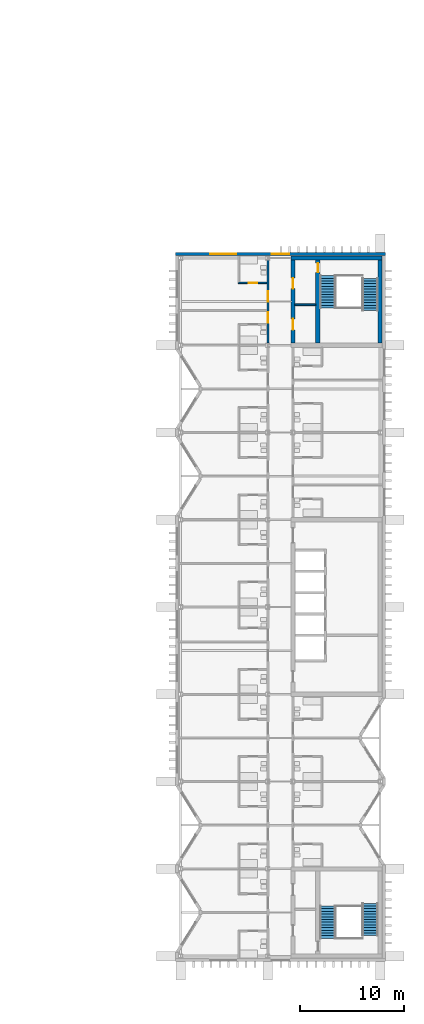
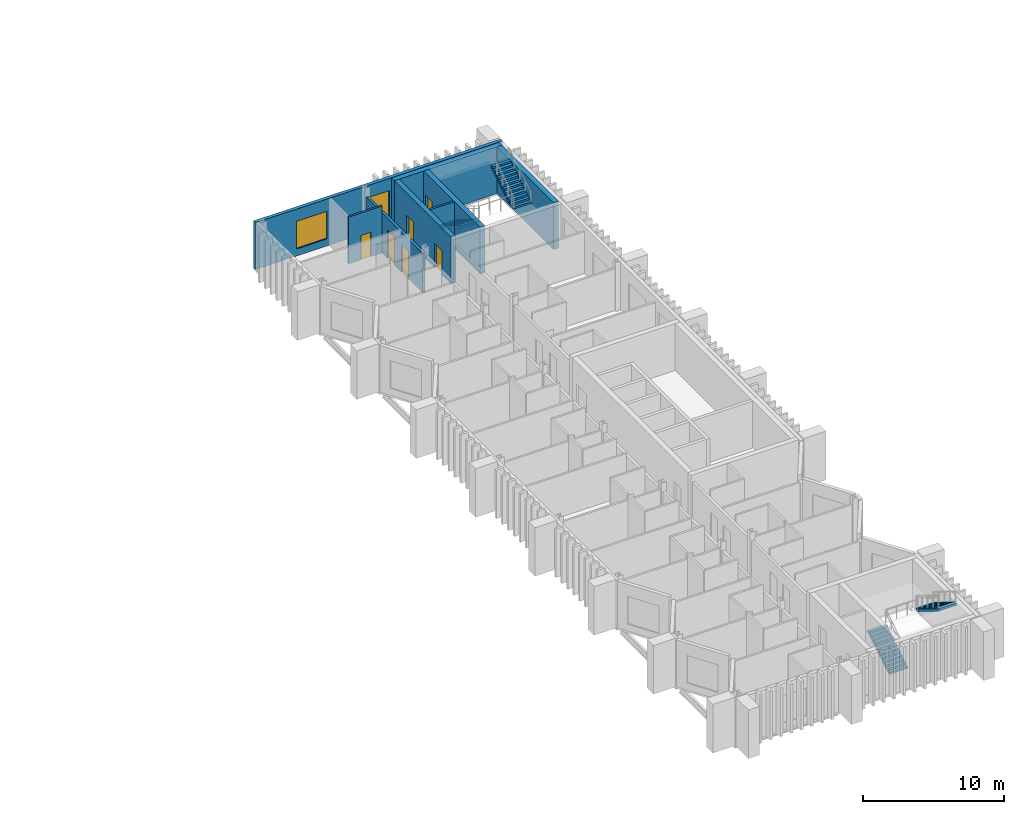
# One storey, part 18 of 20: 8 walls, 6 doors, 4 stair flights, 2 windows, 8 openings, 2 elements without a shape of their own.
"""IFC4 building model written with IfcOpenShell, lengths in metres."""

from ifc_helpers import new_model, si_unit, direction, frame, frame_2d, origin, place, context, subcontext, project, spatial, polyline, rectangle, outline, extrude, material, layer, layer_set, type_object, element, fill, aggregate, save


model = new_model("IFC4")

# Units and contexts
model_context = context("Model", 3, precision=1e-05, world=origin(), true_north=direction((0.0, 1.0)))
body_context = subcontext(model_context, "Body", "Model", "MODEL_VIEW")
ifc_project = project(units=[si_unit("LENGTHUNIT", "METRE"), si_unit("AREAUNIT", "SQUARE_METRE"), si_unit("VOLUMEUNIT", "CUBIC_METRE"), si_unit("PLANEANGLEUNIT", "RADIAN"), si_unit("MASSUNIT", "GRAM", prefix="KILO")], contexts=[model_context])

# Site, building, storey
site_placement = place(None, origin())
site = spatial("IfcSite", under=ifc_project, at=site_placement, CompositionType="ELEMENT")
building_placement = place(site_placement, origin())
building = spatial("IfcBuilding", under=site, at=building_placement, Name="Cresset Court Congress Hotel", CompositionType="ELEMENT")
storey_placement = place(building_placement, frame((0.0, 0.0, 27.0)))
storey = spatial("IfcBuildingStorey", under=building, at=storey_placement, Name="L06", CompositionType="ELEMENT", Elevation=27.0)

# Wall, openings, doors
ifc_material_1 = material(Name="Gypsum board partition")
ifc_layer_1 = layer(ifc_material_1, 0.199951171875)
ifc_layer_set_1 = layer_set([ifc_layer_1], Name="Corridor wall 200")
wall_type_1 = type_object("IfcWallType", Name="Corridor wall 200", PredefinedType="PARTITIONING", material=ifc_layer_set_1)
wall_1_placement = place(storey_placement, frame((165.60009765625, 59.0, 0.0), z_axis=(0.0, 0.0, 1.0), x_axis=(0.0, 1.0, 0.0)))
wall_1 = element("IfcWall", 1, at=wall_1_placement, inside=storey, type_object=wall_type_1, Name="A.wl.L06.077", PredefinedType="PARTITIONING", context=body_context, shape_type="SweptSolid", body=[
    extrude(rectangle(XDim=8.0, YDim=0.199951171875, at=frame_2d((4.0, 0.0))), origin(), (0.0, 0.0, 1.0), 3.449951171875),
])
opening_1_placement = place(wall_1_placement, frame((1.97998046875, 0.0, 0.0)))
opening_1 = element("IfcOpeningElement", 2, at=opening_1_placement, cuts=wall_1, Name="Opening DA-06-30", PredefinedType="OPENING", context=body_context, shape_type="SweptSolid", body=[
    extrude(rectangle(XDim=1.0, YDim=2.39990234375, at=frame_2d((0.5, 1.199951171875))), frame((0.0, 0.10986328125, 0.0), z_axis=(0.0, -1.0, 0.0), x_axis=(1.0, 0.0, 0.0)), (0.0, 0.0, 1.0), 0.219970703125),
])
opening_2_placement = place(wall_1_placement, frame((3.97998046875, 0.0, 0.0)))
opening_2 = element("IfcOpeningElement", 3, at=opening_2_placement, cuts=wall_1, Name="Opening DA-06-32", PredefinedType="OPENING", context=body_context, shape_type="SweptSolid", body=[
    extrude(rectangle(XDim=1.0, YDim=2.39990234375, at=frame_2d((0.5, 1.199951171875))), frame((0.0, 0.10986328125, 0.0), z_axis=(0.0, -1.0, 0.0), x_axis=(1.0, 0.0, 0.0)), (0.0, 0.0, 1.0), 0.219970703125),
])
ifc_material_2 = material(Name="timber", Category="wood")
door_type_1 = type_object("IfcDoorType", Name="Guest-room entry door 1000x2400 FD30S", OperationType="SINGLE_SWING_LEFT", PredefinedType="DOOR", material=ifc_material_2)
door_1_placement = place(opening_1_placement, origin())
door_1 = element("IfcDoor", 4, at=door_1_placement, inside=storey, type_object=door_type_1, Name="Door DA-06-30", OperationType="SINGLE_SWING_RIGHT", OverallHeight=2.39990234375, OverallWidth=1.0, PredefinedType="DOOR", context=body_context, shape_type="SweptSolid", body=[
    extrude(rectangle(XDim=1.0, YDim=2.39990234375, at=frame_2d((0.5, 1.199951171875))), frame((0.0, 0.02490234375, 0.0), z_axis=(0.0, -1.0, 0.0), x_axis=(1.0, 0.0, 0.0)), (0.0, 0.0, 1.0), 0.050048828125),
])
fill(opening_1, door_1)
door_2_placement = place(opening_2_placement, origin())
door_2 = element("IfcDoor", 5, at=door_2_placement, inside=storey, type_object=door_type_1, Name="Door DA-06-32", OperationType="SINGLE_SWING_LEFT", OverallHeight=2.39990234375, OverallWidth=1.0, PredefinedType="DOOR", context=body_context, shape_type="SweptSolid", body=[
    extrude(rectangle(XDim=1.0, YDim=2.39990234375, at=frame_2d((0.5, 1.199951171875))), frame((0.0, 0.02490234375, 0.0), z_axis=(0.0, -1.0, 0.0), x_axis=(1.0, 0.0, 0.0)), (0.0, 0.0, 1.0), 0.050048828125),
])
fill(opening_2, door_2)

# Wall, opening, door
ifc_material_3 = material(Name="Gypsum board partition")
ifc_layer_2 = layer(ifc_material_3, 0.14990234375)
ifc_layer_set_2 = layer_set([ifc_layer_2], Name="En-suite wall 150")
wall_type_2 = type_object("IfcWallType", Name="En-suite wall 150", PredefinedType="PARTITIONING", material=ifc_layer_set_2)
wall_2_placement = place(storey_placement, frame((162.75, 64.800048828125, 0.0), z_axis=(0.0, 0.0, 1.0), x_axis=(1.0, 0.0, 0.0)))
wall_2 = element("IfcWall", 6, at=wall_2_placement, inside=storey, type_object=wall_type_2, Name="A.wl.L06.032", PredefinedType="PARTITIONING", context=body_context, shape_type="SweptSolid", body=[
    extrude(rectangle(XDim=2.75, YDim=0.14990234375, at=frame_2d((1.375, 0.0))), origin(), (0.0, 0.0, 1.0), 4.050048828125),
])
opening_3_placement = place(wall_2_placement, frame((1.030029296875, 0.0, 0.0)))
opening_3 = element("IfcOpeningElement", 7, at=opening_3_placement, cuts=wall_2, Name="Opening DA-06-31", PredefinedType="OPENING", context=body_context, shape_type="SweptSolid", body=[
    extrude(rectangle(XDim=0.800048828125, YDim=2.10009765625, at=frame_2d((0.39990234375, 1.050048828125))), frame((0.0, 0.0849609375, 0.0), z_axis=(0.0, -1.0, 0.0), x_axis=(1.0, 0.0, 0.0)), (0.0, 0.0, 1.0), 0.169921875),
])
ifc_material_4 = material(Name="timber", Category="wood")
door_type_2 = type_object("IfcDoorType", Name="En-suite door 800x2100", OperationType="SINGLE_SWING_LEFT", PredefinedType="DOOR", material=ifc_material_4)
door_3_placement = place(opening_3_placement, origin())
door_3 = element("IfcDoor", 8, at=door_3_placement, inside=storey, type_object=door_type_2, Name="Door DA-06-31", OperationType="SINGLE_SWING_LEFT", OverallHeight=2.10009765625, OverallWidth=0.800048828125, PredefinedType="DOOR", context=body_context, shape_type="SweptSolid", body=[
    extrude(rectangle(XDim=0.800048828125, YDim=2.10009765625, at=frame_2d((0.39990234375, 1.050048828125))), frame((0.0, 0.02490234375, 0.0), z_axis=(0.0, -1.0, 0.0), x_axis=(1.0, 0.0, 0.0)), (0.0, 0.0, 1.0), 0.050048828125),
])
fill(opening_3, door_3)

# Wall, openings, windows
ifc_material_5 = material(Name="Precast concrete C50", Category="concrete")
ifc_layer_3 = layer(ifc_material_5, 0.280029296875)
ifc_layer_set_3 = layer_set([ifc_layer_3], Name="Gable end wall 280")
wall_type_3 = type_object("IfcWallType", Name="Gable end wall 280", PredefinedType="SOLIDWALL", material=ifc_layer_set_3)
wall_3_placement = place(storey_placement, frame((156.699951171875, 67.56005859375, 0.0), z_axis=(0.0, 0.0, 1.0), x_axis=(1.0, 0.0, 0.0)))
wall_3 = element("IfcWall", 9, at=wall_3_placement, inside=storey, type_object=wall_type_3, Name="A.ew.L06.N.1", PredefinedType="SOLIDWALL", context=body_context, shape_type="SweptSolid", body=[
    extrude(rectangle(XDim=20.199951171875, YDim=0.280029296875, at=frame_2d((10.10009765625, 0.0))), origin(), (0.0, 0.0, 1.0), 4.050048828125),
])
opening_4_placement = place(wall_3_placement, frame((9.260009765625, 0.0, 0.60009765625)))
opening_4 = element("IfcOpeningElement", 10, at=opening_4_placement, cuts=wall_3, Name="Opening NA-06-27", PredefinedType="OPENING", context=body_context, shape_type="SweptSolid", body=[
    extrude(rectangle(XDim=1.679931640625, YDim=2.39990234375, at=frame_2d((0.83984375, 1.199951171875))), frame((0.0, 0.14990234375, 0.0), z_axis=(0.0, -1.0, 0.0), x_axis=(1.0, 0.0, 0.0)), (0.0, 0.0, 1.0), 0.300048828125),
])
opening_5_placement = place(wall_3_placement, frame((3.340087890625, 0.0, 0.60009765625)))
opening_5 = element("IfcOpeningElement", 11, at=opening_5_placement, cuts=wall_3, Name="Opening NA-06-28", PredefinedType="OPENING", context=body_context, shape_type="SweptSolid", body=[
    extrude(rectangle(XDim=2.52001953125, YDim=2.39990234375, at=frame_2d((1.260009765625, 1.199951171875))), frame((0.0, 0.14990234375, 0.0), z_axis=(0.0, -1.0, 0.0), x_axis=(1.0, 0.0, 0.0)), (0.0, 0.0, 1.0), 0.300048828125),
])
ifc_material_6 = material(Name="Aluminium and glass", Category="aluminium")
window_type_1 = type_object("IfcWindowType", Name="Window 1680x2400", PartitioningType="SINGLE_PANEL", PredefinedType="WINDOW", material=ifc_material_6)
window_1_placement = place(opening_4_placement, origin())
window_1 = element("IfcWindow", 12, at=window_1_placement, inside=storey, type_object=window_type_1, Name="Window NA-06-27", OverallHeight=2.39990234375, OverallWidth=1.679931640625, PartitioningType="SINGLE_PANEL", PredefinedType="WINDOW", context=body_context, shape_type="SweptSolid", body=[
    extrude(rectangle(XDim=1.679931640625, YDim=2.39990234375, at=frame_2d((0.83984375, 1.199951171875))), frame((0.0, 0.030029296875, 0.0), z_axis=(0.0, -1.0, 0.0), x_axis=(1.0, 0.0, 0.0)), (0.0, 0.0, 1.0), 0.06005859375),
])
fill(opening_4, window_1)
ifc_material_7 = material(Name="Aluminium and glass", Category="aluminium")
window_type_2 = type_object("IfcWindowType", Name="Window 2520x2400", PartitioningType="SINGLE_PANEL", PredefinedType="WINDOW", material=ifc_material_7)
window_2_placement = place(opening_5_placement, origin())
window_2 = element("IfcWindow", 13, at=window_2_placement, inside=storey, type_object=window_type_2, Name="Window NA-06-28", OverallHeight=2.39990234375, OverallWidth=2.52001953125, PartitioningType="SINGLE_PANEL", PredefinedType="WINDOW", context=body_context, shape_type="SweptSolid", body=[
    extrude(rectangle(XDim=2.52001953125, YDim=2.39990234375, at=frame_2d((1.260009765625, 1.199951171875))), frame((0.0, 0.030029296875, 0.0), z_axis=(0.0, -1.0, 0.0), x_axis=(1.0, 0.0, 0.0)), (0.0, 0.0, 1.0), 0.06005859375),
])
fill(opening_5, window_2)

# Walls
ifc_material_8 = material(Name="Concrete block wall", Category="concrete")
ifc_layer_4 = layer(ifc_material_8, 0.175048828125)
ifc_layer_set_4 = layer_set([ifc_layer_4], Name="Riser shaft wall 175")
wall_type_4 = type_object("IfcWallType", Name="Riser shaft wall 175", PredefinedType="PARTITIONING", material=ifc_layer_set_4)
wall_4_placement = place(storey_placement, frame((168.199951171875, 62.699951171875, 0.0), z_axis=(0.0, 0.0, 1.0), x_axis=(1.0, 0.0, 0.0)))
element("IfcWall", 14, at=wall_4_placement, inside=storey, type_object=wall_type_4, Name="A.wl.L06.085", PredefinedType="PARTITIONING", context=body_context, shape_type="SweptSolid", body=[
    extrude(rectangle(XDim=2.0, YDim=0.175048828125, at=frame_2d((1.0, 0.0))), origin(), (0.0, 0.0, 1.0), 4.050048828125),
])
ifc_material_9 = material(Name="Concrete C50", Category="concrete")
ifc_layer_5 = layer(ifc_material_9, 0.39990234375)
ifc_layer_set_5 = layer_set([ifc_layer_5], Name="Stair core wall 400")
wall_type_5 = type_object("IfcWallType", Name="Stair core wall 400", PredefinedType="SOLIDWALL", material=ifc_layer_set_5)
wall_5_placement = place(storey_placement, frame((167.800048828125, 67.199951171875, 0.0), z_axis=(0.0, 0.0, 1.0), x_axis=(1.0, 0.0, 0.0)))
element("IfcWall", 15, at=wall_5_placement, inside=storey, type_object=wall_type_5, Name="A.cw.ST-A2.L06.N", PredefinedType="SOLIDWALL", context=body_context, shape_type="SweptSolid", body=[
    extrude(rectangle(XDim=8.800048828125, YDim=0.39990234375, at=frame_2d((4.39990234375, 0.0))), origin(), (0.0, 0.0, 1.0), 4.050048828125),
])

# Wall, openings, doors
wall_6_placement = place(storey_placement, frame((168.0, 59.0, 0.0), z_axis=(0.0, 0.0, 1.0), x_axis=(0.0, 1.0, 0.0)))
wall_6 = element("IfcWall", 16, at=wall_6_placement, inside=storey, type_object=wall_type_5, Name="A.cw.ST-A2.L06.W", PredefinedType="SOLIDWALL", context=body_context, shape_type="SweptSolid", body=[
    extrude(rectangle(XDim=8.0, YDim=0.39990234375, at=frame_2d((4.0, 0.0))), origin(), (0.0, 0.0, 1.0), 4.050048828125),
])
opening_6_placement = place(wall_6_placement, frame((5.25, 0.0, 0.0)))
opening_6 = element("IfcOpeningElement", 17, at=opening_6_placement, cuts=wall_6, Name="Opening DA-06-53", PredefinedType="OPENING", context=body_context, shape_type="SweptSolid", body=[
    extrude(rectangle(XDim=1.0, YDim=2.10009765625, at=frame_2d((0.5, 1.050048828125))), frame((0.0, 0.2099609375, 0.0), z_axis=(0.0, -1.0, 0.0), x_axis=(1.0, 0.0, 0.0)), (0.0, 0.0, 1.0), 0.419921875),
])
opening_7_placement = place(wall_6_placement, frame((1.27490234375, 0.0, 0.0)))
opening_7 = element("IfcOpeningElement", 18, at=opening_7_placement, cuts=wall_6, Name="Opening DA-06-54", PredefinedType="OPENING", context=body_context, shape_type="SweptSolid", body=[
    extrude(rectangle(XDim=1.050048828125, YDim=2.10009765625, at=frame_2d((0.52490234375, 1.050048828125))), frame((0.0, 0.2099609375, 0.0), z_axis=(0.0, -1.0, 0.0), x_axis=(1.0, 0.0, 0.0)), (0.0, 0.0, 1.0), 0.419921875),
])
ifc_material_10 = material(Name="steel", Category="steel")
door_type_3 = type_object("IfcDoorType", Name="Housekeeping room door 1050x2100 FD30", OperationType="SINGLE_SWING_LEFT", PredefinedType="DOOR", material=ifc_material_10)
door_4_placement = place(opening_7_placement, origin())
door_4 = element("IfcDoor", 19, at=door_4_placement, inside=storey, type_object=door_type_3, Name="Door DA-06-54", OperationType="SINGLE_SWING_RIGHT", OverallHeight=2.10009765625, OverallWidth=1.050048828125, PredefinedType="DOOR", context=body_context, shape_type="SweptSolid", body=[
    extrude(rectangle(XDim=1.050048828125, YDim=2.10009765625, at=frame_2d((0.52490234375, 1.050048828125))), frame((0.0, 0.02490234375, 0.0), z_axis=(0.0, -1.0, 0.0), x_axis=(1.0, 0.0, 0.0)), (0.0, 0.0, 1.0), 0.050048828125),
])
fill(opening_7, door_4)
ifc_material_11 = material(Name="steel", Category="steel")
door_type_4 = type_object("IfcDoorType", Name="Lobby door 1000x2100 FD60", OperationType="SINGLE_SWING_LEFT", PredefinedType="DOOR", material=ifc_material_11)
door_5_placement = place(opening_6_placement, origin())
door_5 = element("IfcDoor", 20, at=door_5_placement, inside=storey, type_object=door_type_4, Name="Door DA-06-53", OperationType="SINGLE_SWING_LEFT", OverallHeight=2.10009765625, OverallWidth=1.0, PredefinedType="DOOR", context=body_context, shape_type="SweptSolid", body=[
    extrude(rectangle(XDim=1.0, YDim=2.10009765625, at=frame_2d((0.5, 1.050048828125))), frame((0.0, 0.02490234375, 0.0), z_axis=(0.0, -1.0, 0.0), x_axis=(1.0, 0.0, 0.0)), (0.0, 0.0, 1.0), 0.050048828125),
])
fill(opening_6, door_5)

# Wall
wall_7_placement = place(storey_placement, frame((176.39990234375, 59.0, 0.0), z_axis=(0.0, 0.0, 1.0), x_axis=(0.0, 1.0, 0.0)))
element("IfcWall", 21, at=wall_7_placement, inside=storey, type_object=wall_type_5, Name="A.cw.ST-A2.L06.E", PredefinedType="SOLIDWALL", context=body_context, shape_type="SweptSolid", body=[
    extrude(rectangle(XDim=8.0, YDim=0.39990234375, at=frame_2d((4.0, 0.0))), origin(), (0.0, 0.0, 1.0), 4.050048828125),
])

# Wall, opening, door
wall_8_placement = place(storey_placement, frame((170.39990234375, 59.0, 0.0), z_axis=(0.0, 0.0, 1.0), x_axis=(0.0, 1.0, 0.0)))
wall_8 = element("IfcWall", 22, at=wall_8_placement, inside=storey, type_object=wall_type_5, Name="A.wl.L06.084", PredefinedType="SOLIDWALL", context=body_context, shape_type="SweptSolid", body=[
    extrude(rectangle(XDim=8.0, YDim=0.39990234375, at=frame_2d((4.0, 0.0))), origin(), (0.0, 0.0, 1.0), 4.050048828125),
])
opening_8_placement = place(wall_8_placement, frame((6.800048828125, 0.0, 0.0)))
opening_8 = element("IfcOpeningElement", 23, at=opening_8_placement, cuts=wall_8, Name="Opening DA-06-52", PredefinedType="OPENING", context=body_context, shape_type="SweptSolid", body=[
    extrude(rectangle(XDim=0.89990234375, YDim=2.10009765625, at=frame_2d((0.449951171875, 1.050048828125))), frame((0.0, 0.2099609375, 0.0), z_axis=(0.0, -1.0, 0.0), x_axis=(1.0, 0.0, 0.0)), (0.0, 0.0, 1.0), 0.419921875),
])
ifc_material_12 = material(Name="steel", Category="steel")
door_type_5 = type_object("IfcDoorType", Name="Stair door 900x2100 FD60", OperationType="SINGLE_SWING_LEFT", PredefinedType="DOOR", material=ifc_material_12)
door_6_placement = place(opening_8_placement, origin())
door_6 = element("IfcDoor", 24, at=door_6_placement, inside=storey, type_object=door_type_5, Name="Door DA-06-52", OperationType="SINGLE_SWING_RIGHT", OverallHeight=2.10009765625, OverallWidth=0.89990234375, PredefinedType="DOOR", context=body_context, shape_type="SweptSolid", body=[
    extrude(rectangle(XDim=0.89990234375, YDim=2.10009765625, at=frame_2d((0.449951171875, 1.050048828125))), frame((0.0, 0.02490234375, 0.0), z_axis=(0.0, -1.0, 0.0), x_axis=(1.0, 0.0, 0.0)), (0.0, 0.0, 1.0), 0.050048828125),
])
fill(opening_8, door_6)

# Stair, stair flights
ifc_material_13 = material(Name="Concrete C40", Category="concrete")
stair_type = type_object("IfcStairType", Name="Concrete dog-leg stair 5600", PredefinedType="HALF_TURN_STAIR", material=ifc_material_13)
stair_1_placement = place(storey_placement, origin())
stair_1 = element("IfcStair", 25, at=stair_1_placement, inside=storey, type_object=stair_type, Name="Stair A1 L06", PredefinedType="HALF_TURN_STAIR")
ifc_material_14 = material(Name="Concrete C40", Category="concrete")
stair_flight_type = type_object("IfcStairFlightType", Name="Concrete stair flight", PredefinedType="STRAIGHT", material=ifc_material_14)
stair_flight_1_placement = place(storey_placement, frame((171.35009765625, 1.699951171875, 0.0), z_axis=(0.0, 0.0, 1.0), x_axis=(0.0, 1.0, 0.0)))
stair_flight_1 = element("IfcStairFlight", 26, at=stair_flight_1_placement, type_object=stair_flight_type, Name="A-ST1 flight 1", NumberOfRisers=13, NumberOfTreads=12, PredefinedType="STRAIGHT", RiserHeight=0.161538462, TreadLength=0.26, context=body_context, shape_type="SweptSolid", body=[
    extrude(outline(polyline([(0.0, 0.0), (0.0, 0.16162109375), (0.260009765625, 0.16162109375), (0.260009765625, 0.322998046875), (0.52001953125, 0.322998046875), (0.52001953125, 0.484619140625), (0.780029296875, 0.484619140625), (0.780029296875, 0.646240234375), (1.0400390625, 0.646240234375), (1.0400390625, 0.8076171875), (1.300048828125, 0.8076171875), (1.300048828125, 0.96923828125), (1.56005859375, 0.96923828125), (1.56005859375, 1.130859375), (1.820068359375, 1.130859375), (1.820068359375, 1.292236328125), (2.080078125, 1.292236328125), (2.080078125, 1.453857421875), (2.340087890625, 1.453857421875), (2.340087890625, 1.615478515625), (2.60009765625, 1.615478515625), (2.60009765625, 1.77685546875), (2.860107421875, 1.77685546875), (2.860107421875, 1.9384765625), (3.1201171875, 1.9384765625), (3.1201171875, 2.10009765625), (3.1201171875, 1.761962890625), (0.283935546875, 0.0), (0.0, 0.0)])), frame((0.0, 0.75, 0.0), z_axis=(0.0, -1.0, 0.0), x_axis=(1.0, 0.0, 0.0)), (0.0, 0.0, 1.0), 1.5),
])
stair_flight_2_placement = place(storey_placement, frame((175.449951171875, 5.080078125, 2.10009765625), z_axis=(0.0, 0.0, 1.0), x_axis=(0.0, -1.0, 0.0)))
stair_flight_2 = element("IfcStairFlight", 27, at=stair_flight_2_placement, type_object=stair_flight_type, Name="A-ST1 flight 2", NumberOfRisers=13, NumberOfTreads=12, PredefinedType="STRAIGHT", RiserHeight=0.161538462, TreadLength=0.26, context=body_context, shape_type="SweptSolid", body=[
    extrude(outline(polyline([(0.0, 0.0), (0.0, 0.16162109375), (0.260009765625, 0.16162109375), (0.260009765625, 0.322998046875), (0.52001953125, 0.322998046875), (0.52001953125, 0.484619140625), (0.780029296875, 0.484619140625), (0.780029296875, 0.646240234375), (1.0400390625, 0.646240234375), (1.0400390625, 0.8076171875), (1.300048828125, 0.8076171875), (1.300048828125, 0.96923828125), (1.56005859375, 0.96923828125), (1.56005859375, 1.130859375), (1.820068359375, 1.130859375), (1.820068359375, 1.292236328125), (2.080078125, 1.292236328125), (2.080078125, 1.453857421875), (2.340087890625, 1.453857421875), (2.340087890625, 1.615478515625), (2.60009765625, 1.615478515625), (2.60009765625, 1.77685546875), (2.860107421875, 1.77685546875), (2.860107421875, 1.9384765625), (3.1201171875, 1.9384765625), (3.1201171875, 2.10009765625), (3.1201171875, 1.761962890625), (0.283935546875, 0.0), (0.0, 0.0)])), frame((0.0, 0.75, 0.0), z_axis=(0.0, -1.0, 0.0), x_axis=(1.0, 0.0, 0.0)), (0.0, 0.0, 1.0), 1.5),
])
aggregate(stair_1, [stair_flight_1, stair_flight_2])

stair_2_placement = place(storey_placement, origin())
stair_2 = element("IfcStair", 28, at=stair_2_placement, inside=storey, type_object=stair_type, Name="Stair A2 L06", PredefinedType="HALF_TURN_STAIR")
stair_flight_3_placement = place(storey_placement, frame((171.35009765625, 65.5, 0.0), z_axis=(0.0, 0.0, 1.0), x_axis=(0.0, -1.0, 0.0)))
stair_flight_3 = element("IfcStairFlight", 29, at=stair_flight_3_placement, type_object=stair_flight_type, Name="A-ST1 flight 1", NumberOfRisers=13, NumberOfTreads=12, PredefinedType="STRAIGHT", RiserHeight=0.161538462, TreadLength=0.26, context=body_context, shape_type="SweptSolid", body=[
    extrude(outline(polyline([(0.0, 0.0), (0.0, 0.16162109375), (0.260009765625, 0.16162109375), (0.260009765625, 0.322998046875), (0.52001953125, 0.322998046875), (0.52001953125, 0.484619140625), (0.780029296875, 0.484619140625), (0.780029296875, 0.646240234375), (1.0400390625, 0.646240234375), (1.0400390625, 0.8076171875), (1.300048828125, 0.8076171875), (1.300048828125, 0.96923828125), (1.56005859375, 0.96923828125), (1.56005859375, 1.130859375), (1.820068359375, 1.130859375), (1.820068359375, 1.292236328125), (2.080078125, 1.292236328125), (2.080078125, 1.453857421875), (2.340087890625, 1.453857421875), (2.340087890625, 1.615478515625), (2.60009765625, 1.615478515625), (2.60009765625, 1.77685546875), (2.860107421875, 1.77685546875), (2.860107421875, 1.9384765625), (3.1201171875, 1.9384765625), (3.1201171875, 2.10009765625), (3.1201171875, 1.761962890625), (0.283935546875, 0.0), (0.0, 0.0)])), frame((0.0, 0.75, 0.0), z_axis=(0.0, -1.0, 0.0), x_axis=(1.0, 0.0, 0.0)), (0.0, 0.0, 1.0), 1.5),
])
stair_flight_4_placement = place(storey_placement, frame((175.449951171875, 62.1201171875, 2.10009765625), z_axis=(0.0, 0.0, 1.0), x_axis=(0.0, 1.0, 0.0)))
stair_flight_4 = element("IfcStairFlight", 30, at=stair_flight_4_placement, type_object=stair_flight_type, Name="A-ST1 flight 2", NumberOfRisers=13, NumberOfTreads=12, PredefinedType="STRAIGHT", RiserHeight=0.161538462, TreadLength=0.26, context=body_context, shape_type="SweptSolid", body=[
    extrude(outline(polyline([(0.0, 0.0), (0.0, 0.16162109375), (0.260009765625, 0.16162109375), (0.260009765625, 0.322998046875), (0.52001953125, 0.322998046875), (0.52001953125, 0.484619140625), (0.780029296875, 0.484619140625), (0.780029296875, 0.646240234375), (1.0400390625, 0.646240234375), (1.0400390625, 0.8076171875), (1.300048828125, 0.8076171875), (1.300048828125, 0.96923828125), (1.56005859375, 0.96923828125), (1.56005859375, 1.130859375), (1.820068359375, 1.130859375), (1.820068359375, 1.292236328125), (2.080078125, 1.292236328125), (2.080078125, 1.453857421875), (2.340087890625, 1.453857421875), (2.340087890625, 1.615478515625), (2.60009765625, 1.615478515625), (2.60009765625, 1.77685546875), (2.860107421875, 1.77685546875), (2.860107421875, 1.9384765625), (3.1201171875, 1.9384765625), (3.1201171875, 2.10009765625), (3.1201171875, 1.761962890625), (0.283935546875, 0.0), (0.0, 0.0)])), frame((0.0, 0.75, 0.0), z_axis=(0.0, -1.0, 0.0), x_axis=(1.0, 0.0, 0.0)), (0.0, 0.0, 1.0), 1.5),
])
aggregate(stair_2, [stair_flight_3, stair_flight_4])

save(model, "model.ifc")
